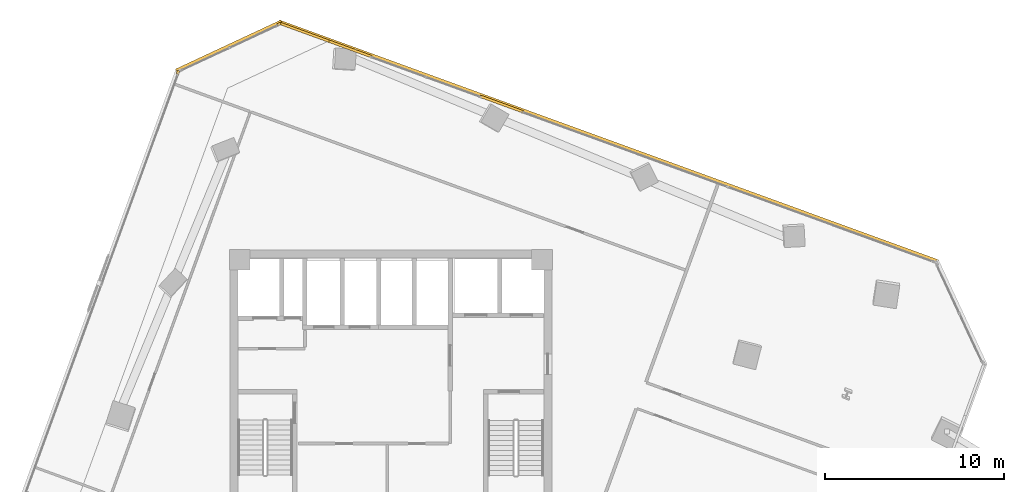
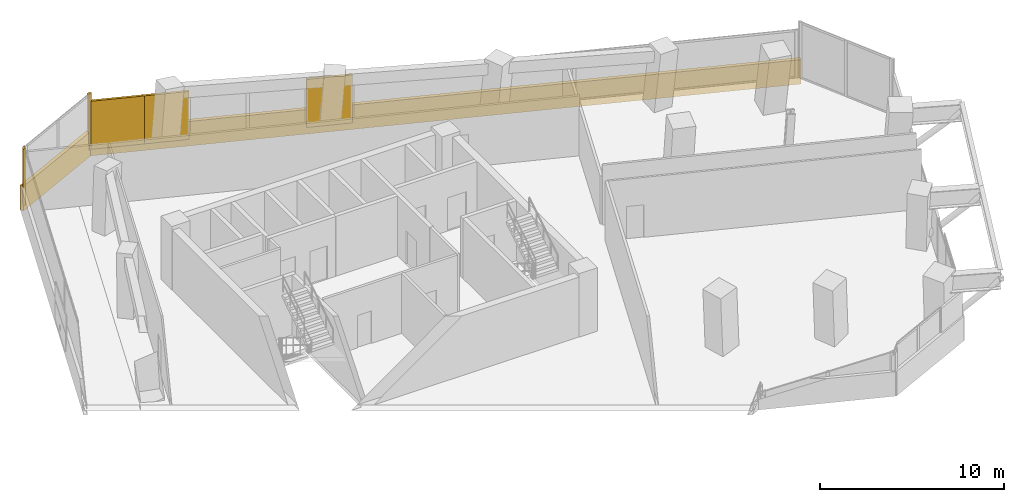
# One storey, part 21 of 21: 7 coverings.
"""IFC4 building model written with IfcOpenShell, lengths in metres."""

from ifc_helpers import new_model, si_unit, direction, frame, origin, origin_2d, place, context, subcontext, project, spatial, rectangle, extrude, source, transform, mapped, material, layer, layer_set, type_object, element, save


model = new_model("IFC4")

# Units and contexts
model_context = context("Model", 3, precision=1e-05, world=origin(), true_north=direction((0.0, 1.0)))
body_context = subcontext(model_context, "Body", "Model", "MODEL_VIEW")
ifc_project = project(units=[si_unit("LENGTHUNIT", "METRE"), si_unit("AREAUNIT", "SQUARE_METRE"), si_unit("VOLUMEUNIT", "CUBIC_METRE"), si_unit("PLANEANGLEUNIT", "RADIAN"), si_unit("MASSUNIT", "GRAM", prefix="KILO")], contexts=[model_context])

# Site, building, storey
site_placement = place(None, origin())
site = spatial("IfcSite", under=ifc_project, at=site_placement, CompositionType="ELEMENT")
building_placement = place(site_placement, origin())
building = spatial("IfcBuilding", under=site, at=building_placement, Name="Torre Montelarca", CompositionType="ELEMENT")
storey_placement = place(building_placement, frame((0.0, 0.0, 137.199951171875)))
storey = spatial("IfcBuildingStorey", under=building, at=storey_placement, Name="L30", CompositionType="ELEMENT", Elevation=137.199951171875)

# Coverings
ifc_material = material(Name="Bush-hammered warm white precast concrete C45/55", Category="concrete")
ifc_layer = layer(ifc_material, 0.139892578125, Name="Bush-hammered warm white precast concrete C45/55", Category="concrete")
ifc_layer_set = layer_set([ifc_layer], Name="Bush-hammered warm white precast concrete C45/55")
covering_type = type_object("IfcCoveringType", Name="COV-TRAY-CLAD", PredefinedType="CLADDING", material=ifc_layer_set)
shared_shape_1 = source(origin(), body_context, "Body", "SweptSolid", [
    extrude(rectangle(XDim=6.48388671875, YDim=0.219970703125, at=origin_2d()), origin(), (0.0, 0.0, 1.0), 1.6201171875),
])
covering_1_placement = place(storey_placement, frame((8.946533203125, 51.391845703125, -0.449951171875), z_axis=(0.0, 0.0, 1.0), x_axis=(-0.906309262247, -0.422615098127, 0.0)))
element("IfcCovering", 1, at=covering_1_placement, inside=storey, type_object=covering_type, Name="L30 Architectural White Spandrel Tray Band TRYBOT-09", PredefinedType="CLADDING", context=body_context, shape_type="MappedRepresentation", body=[
    mapped(shared_shape_1, transform((0.0, 0.0, 0.0), scale=1.0)),
])
shared_shape_2 = source(origin(), body_context, "Body", "SweptSolid", [
    extrude(rectangle(XDim=0.199951171875, YDim=0.139892578125, at=origin_2d()), origin(), (0.0, 0.0, 1.0), 3.719970703125),
])
for number, where, z_axis, x_axis, name in (
    (2, (11.750732421875, 52.633056640625, 0.0), (0.0, 0.0, 1.0), (-0.906310737447, -0.422611934508, 0.0), "L30 Architectural Column Pier Cladding E09-1"),
    (3, (6.094970703125, 49.9345703125, 0.0), (0.0, 0.0, 1.0), (-0.342018503252, -0.939693217722, 0.0), "L30 Architectural Column Pier Cladding E10-1"),
):
    element("IfcCovering", number, at=place(storey_placement, frame(where, z_axis=z_axis, x_axis=x_axis)), inside=storey, type_object=covering_type, Name=name, PredefinedType="CLADDING", context=body_context, shape_type="MappedRepresentation", body=[
        mapped(shared_shape_2, transform((0.0, 0.0, 0.0), scale=1.0)),
    ])
shared_shape_3 = source(origin(), body_context, "Body", "SweptSolid", [
    extrude(rectangle(XDim=39.219970703125, YDim=0.219970703125, at=origin_2d()), origin(), (0.0, 0.0, 1.0), 1.6201171875),
])
covering_2_placement = place(storey_placement, frame((30.178466796875, 46.049072265625, -0.449951171875), z_axis=(0.0, 0.0, 1.0), x_axis=(-0.939693217722, 0.342018503252, 0.0)))
element("IfcCovering", 4, at=covering_2_placement, inside=storey, type_object=covering_type, Name="L30 Architectural White Spandrel Tray Band TRYBOT-08", PredefinedType="CLADDING", context=body_context, shape_type="MappedRepresentation", body=[
    mapped(shared_shape_3, transform((0.0, 0.0, 0.0), scale=1.0)),
])
shared_shape_4 = source(origin(), body_context, "Body", "SweptSolid", [
    extrude(rectangle(XDim=2.54296875, YDim=0.139892578125, at=origin_2d()), origin(), (0.0, 0.0, 1.0), 3.175048828125),
])
covering_3_placement = place(storey_placement, frame((24.188720703125, 48.165283203125, 0.0), z_axis=(0.0, 0.0, 1.0), x_axis=(-0.939693814656, 0.342016863178, 0.0)))
element("IfcCovering", 5, at=covering_3_placement, inside=storey, type_object=covering_type, Name="L30 Architectural Column Pier Cladding E08-2", PredefinedType="CLADDING", context=body_context, shape_type="MappedRepresentation", body=[
    mapped(shared_shape_4, transform((0.0, 0.0, 0.0), scale=1.0)),
])
shared_shape_5 = source(origin(), body_context, "Body", "SweptSolid", [
    extrude(rectangle(XDim=2.54931640625, YDim=0.139892578125, at=origin_2d()), origin(), (0.0, 0.0, 1.0), 3.175048828125),
])
covering_4_placement = place(storey_placement, frame((15.736572265625, 51.24169921875, 0.0), z_axis=(0.0, 0.0, 1.0), x_axis=(-0.939693814656, 0.342016863178, 0.0)))
element("IfcCovering", 6, at=covering_4_placement, inside=storey, type_object=covering_type, Name="L30 Architectural Column Pier Cladding E08-3", PredefinedType="CLADDING", context=body_context, shape_type="MappedRepresentation", body=[
    mapped(shared_shape_5, transform((0.0, 0.0, 0.0), scale=1.0)),
])
shared_shape_6 = source(origin(), body_context, "Body", "SweptSolid", [
    extrude(rectangle(XDim=3.0126953125, YDim=0.139892578125, at=origin_2d()), origin(), (0.0, 0.0, 1.0), 3.175048828125),
])
covering_5_placement = place(storey_placement, frame((13.21728515625, 52.158447265625, 0.0), z_axis=(0.0, 0.0, 1.0), x_axis=(-0.939693814656, 0.342016863178, 0.0)))
element("IfcCovering", 7, at=covering_5_placement, inside=storey, type_object=covering_type, Name="L30 Architectural Column Pier Cladding E08-4", PredefinedType="CLADDING", context=body_context, shape_type="MappedRepresentation", body=[
    mapped(shared_shape_6, transform((0.0, 0.0, 0.0), scale=1.0)),
])

save(model, "model.ifc")
